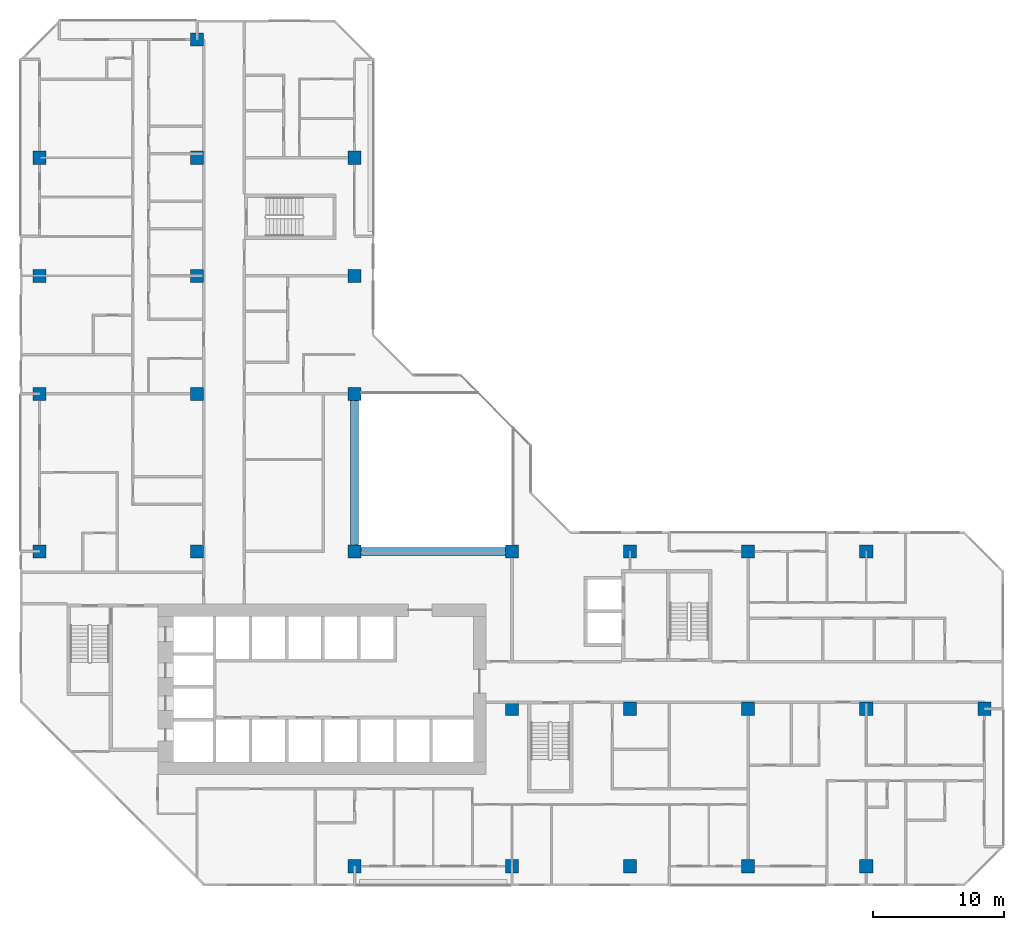
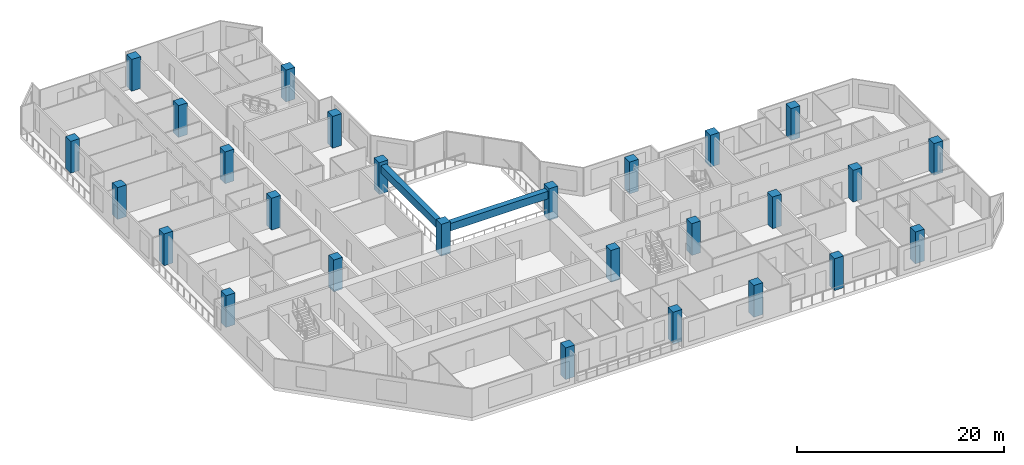
# One storey, part 1 of 15: 27 columns, 2 beams.
"""IFC4 building model written with IfcOpenShell, lengths in metres."""

from ifc_helpers import new_model, si_unit, direction, frame, origin, origin_2d, place, context, subcontext, project, spatial, rectangle, extrude, material, material_profile, profile_set, type_object, element, save


model = new_model("IFC4")

# Units and contexts
model_context = context("Model", 3, precision=1e-05, world=origin(), true_north=direction((0.0, 1.0)))
body_context = subcontext(model_context, "Body", "Model", "MODEL_VIEW")
ifc_project = project(units=[si_unit("LENGTHUNIT", "METRE"), si_unit("AREAUNIT", "SQUARE_METRE"), si_unit("VOLUMEUNIT", "CUBIC_METRE"), si_unit("PLANEANGLEUNIT", "RADIAN"), si_unit("MASSUNIT", "GRAM", prefix="KILO")], contexts=[model_context])

# Site, building, storey
site_placement = place(None, origin())
site = spatial("IfcSite", under=ifc_project, at=site_placement, CompositionType="ELEMENT")
building_placement = place(site_placement, origin())
building = spatial("IfcBuilding", under=site, at=building_placement, Name="Chenar Terraces", CompositionType="ELEMENT")
storey_placement = place(building_placement, frame((0.0, 0.0, 125.64990234375)))
storey = spatial("IfcBuildingStorey", under=building, at=storey_placement, Name="L29", CompositionType="ELEMENT", Elevation=125.64990234375)

# Columns
ifc_material_1 = material(Name="Concrete C70/85", Category="concrete")
ifc_material_profile_1 = material_profile(ifc_material_1, rectangle(XDim=1.0, YDim=1.0, at=origin_2d()), Name="C 1000 x 1000")
ifc_profile_set_1 = profile_set([ifc_material_profile_1], Name="Concrete C70/85")
column_type = type_object("IfcColumnType", Name="Column C 1000 x 1000 Concrete C70/85", PredefinedType="COLUMN", material=ifc_profile_set_1)
column_1_placement = place(storey_placement, frame((0.0, 24.0, 0.0), z_axis=(0.0, 0.0, 1.0), x_axis=(1.0, 0.0, 0.0)))
element("IfcColumn", 1, at=column_1_placement, inside=storey, type_object=column_type, Name="Column 5/G L29", PredefinedType="COLUMN", context=body_context, shape_type="SweptSolid", body=[
    extrude(rectangle(XDim=1.0, YDim=1.0, at=origin_2d()), origin(), (0.0, 0.0, 1.0), 3.75),
])
column_2_placement = place(storey_placement, frame((0.0, 36.0, 0.0), z_axis=(0.0, 0.0, 1.0), x_axis=(1.0, 0.0, 0.0)))
element("IfcColumn", 2, at=column_2_placement, inside=storey, type_object=column_type, Name="Column 5/H L29", PredefinedType="COLUMN", context=body_context, shape_type="SweptSolid", body=[
    extrude(rectangle(XDim=1.0, YDim=1.0, at=origin_2d()), origin(), (0.0, 0.0, 1.0), 3.75),
])
for number, where, z_axis, x_axis, name in (
    (3, (0.0, 45.0, 0.0), (0.0, 0.0, 1.0), (1.0, 0.0, 0.0), "Column 5/J L29"),
    (4, (0.0, 54.0, 0.0), (0.0, 0.0, 1.0), (1.0, 0.0, 0.0), "Column 5/K L29"),
    (5, (12.0, 24.0, 0.0), (0.0, 0.0, 1.0), (1.0, 0.0, 0.0), "Column 6/G L29"),
    (6, (12.0, 36.0, 0.0), (0.0, 0.0, 1.0), (1.0, 0.0, 0.0), "Column 6/H L29"),
    (7, (12.0, 45.0, 0.0), (0.0, 0.0, 1.0), (1.0, 0.0, 0.0), "Column 6/J L29"),
    (8, (12.0, 54.0, 0.0), (0.0, 0.0, 1.0), (1.0, 0.0, 0.0), "Column 6/K L29"),
    (9, (12.0, 63.0, 0.0), (0.0, 0.0, 1.0), (1.0, 0.0, 0.0), "Column 6/L L29"),
    (10, (24.0, 0.0, 0.0), (0.0, 0.0, 1.0), (1.0, 0.0, 0.0), "Column 7/E L29"),
    (11, (24.0, 24.0, 0.0), (0.0, 0.0, 1.0), (1.0, 0.0, 0.0), "Column 7/G L29"),
    (12, (24.0, 36.0, 0.0), (0.0, 0.0, 1.0), (1.0, 0.0, 0.0), "Column 7/H L29"),
    (13, (24.0, 45.0, 0.0), (0.0, 0.0, 1.0), (1.0, 0.0, 0.0), "Column 7/J L29"),
    (14, (24.0, 54.0, 0.0), (0.0, 0.0, 1.0), (1.0, 0.0, 0.0), "Column 7/K L29"),
    (15, (36.0, 0.0, 0.0), (0.0, 0.0, 1.0), (1.0, 0.0, 0.0), "Column 8/E L29"),
    (16, (36.0, 12.0, 0.0), (0.0, 0.0, 1.0), (1.0, 0.0, 0.0), "Column 8/F L29"),
    (17, (36.0, 24.0, 0.0), (0.0, 0.0, 1.0), (1.0, 0.0, 0.0), "Column 8/G L29"),
    (18, (45.0, 0.0, 0.0), (0.0, 0.0, 1.0), (1.0, 0.0, 0.0), "Column 9/E L29"),
    (19, (45.0, 12.0, 0.0), (0.0, 0.0, 1.0), (1.0, 0.0, 0.0), "Column 9/F L29"),
    (20, (45.0, 24.0, 0.0), (0.0, 0.0, 1.0), (1.0, 0.0, 0.0), "Column 9/G L29"),
    (21, (54.0, 0.0, 0.0), (0.0, 0.0, 1.0), (1.0, 0.0, 0.0), "Column 10/E L29"),
    (22, (54.0, 12.0, 0.0), (0.0, 0.0, 1.0), (1.0, 0.0, 0.0), "Column 10/F L29"),
    (23, (54.0, 24.0, 0.0), (0.0, 0.0, 1.0), (1.0, 0.0, 0.0), "Column 10/G L29"),
    (24, (63.0, 0.0, 0.0), (0.0, 0.0, 1.0), (1.0, 0.0, 0.0), "Column 11/E L29"),
    (25, (63.0, 12.0, 0.0), (0.0, 0.0, 1.0), (1.0, 0.0, 0.0), "Column 11/F L29"),
    (26, (63.0, 24.0, 0.0), (0.0, 0.0, 1.0), (1.0, 0.0, 0.0), "Column 11/G L29"),
    (27, (72.0, 12.0, 0.0), (0.0, 0.0, 1.0), (1.0, 0.0, 0.0), "Column 12/F L29"),
):
    element("IfcColumn", number, at=place(storey_placement, frame(where, z_axis=z_axis, x_axis=x_axis)), inside=storey, type_object=column_type, Name=name, PredefinedType="COLUMN", context=body_context, shape_type="SweptSolid", body=[
        extrude(rectangle(XDim=1.0, YDim=1.0, at=origin_2d()), origin(), (0.0, 0.0, 1.0), 3.75),
    ])

# Beams
ifc_material_2 = material(Name="Concrete C40/50", Category="concrete")
ifc_material_profile_2 = material_profile(ifc_material_2, rectangle(XDim=0.60009765625, YDim=0.89990234375, at=origin_2d()), Name="RC 600 x 900")
ifc_profile_set_2 = profile_set([ifc_material_profile_2], Name="Concrete C40/50")
beam_type = type_object("IfcBeamType", Name="Atrium edge beam 600 x 900 Concrete C40/50", PredefinedType="BEAM", material=ifc_profile_set_2)
for number, where, z_axis, x_axis, name in (
    (28, (24.5, 24.0, 2.900146484375), (1.0, 0.0, 0.0), (0.0, 1.0, 0.0), "Atrium edge beam L30 1"),
    (29, (24.0, 35.5, 2.900146484375), (0.0, -1.0, 0.0), (1.0, 0.0, 0.0), "Atrium edge beam L30 4"),
):
    element("IfcBeam", number, at=place(storey_placement, frame(where, z_axis=z_axis, x_axis=x_axis)), inside=storey, type_object=beam_type, Name=name, PredefinedType="BEAM", context=body_context, shape_type="SweptSolid", body=[
        extrude(rectangle(XDim=0.60009765625, YDim=0.89990234375, at=origin_2d()), origin(), (0.0, 0.0, 1.0), 11.0),
    ])

save(model, "model.ifc")
